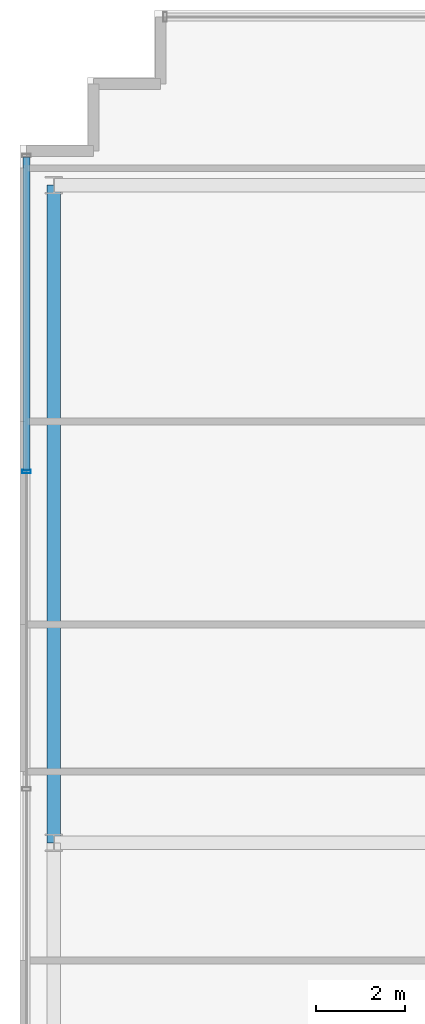
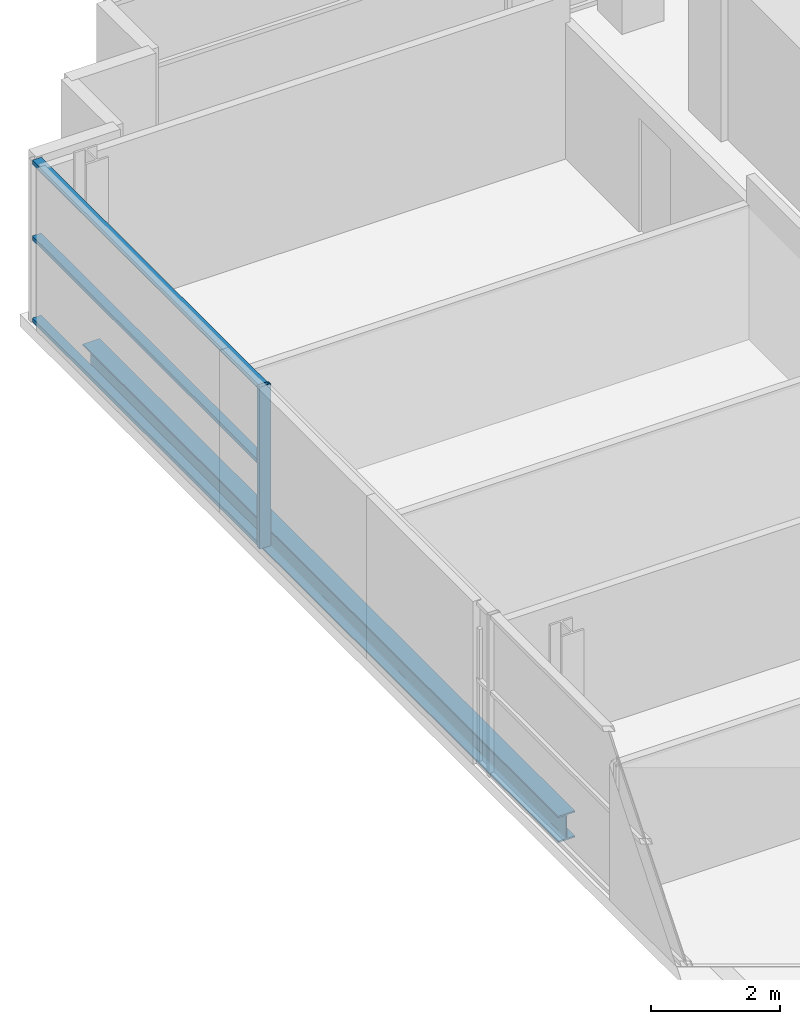
# One storey, part 10 of 25: 4 members, 1 beam, 1 element without a shape of its own.
"""IFC4 building model written with IfcOpenShell, lengths in metres."""

import ifcopenshell
import ifcopenshell.guid

model = None  # the IFC model being written
_history = None  # IfcOwnerHistory: only IFC2X3 demands one
_inside = {}  # id of a spatial element -> (the spatial element, [elements in it])
_under = {}  # id of a project, library or spatial element -> (it, [spatial elements below it])
_declared = {}  # id of a project -> (the project, [libraries it declares])
_typed = {}  # id of a type object -> (the type object, [elements of that type])
_made_of = {}  # id of a material, layer set ... -> (it, [elements and type objects made of it])


def new_model(schema):
    """Start an empty IFC model of exactly this schema.

    Asked for "IFC4X3", IfcOpenShell would pick the latest addendum, in which some entities
    have other attributes; the version numbers below select the first issue.
    IFC2X3 requires an IfcOwnerHistory on every rooted entity: one is made here for all.
    """
    global model, _history
    if schema == "IFC4X3":
        model = ifcopenshell.file(schema_version=(4, 3, 0, 0))
    else:
        model = ifcopenshell.file(schema=schema)
    _inside.clear()
    _under.clear()
    _declared.clear()
    _typed.clear()
    _made_of.clear()
    _history = None
    if model.schema == "IFC2X3":
        org = make("IfcOrganization", Name="unknown")
        user = make(
            "IfcPersonAndOrganization",
            ThePerson=make("IfcPerson", FamilyName="unknown"),
            TheOrganization=org,
        )
        app = make(
            "IfcApplication",
            ApplicationDeveloper=org,
            Version="unknown",
            ApplicationFullName="unknown",
            ApplicationIdentifier="unknown",
        )
        _history = make(
            "IfcOwnerHistory",
            OwningUser=user,
            OwningApplication=app,
            ChangeAction="ADDED",
            CreationDate=0,
        )
    return model


def make(cls, **values):
    """One entity of the class cls with the attributes given. An attribute that is None is left unset."""
    return model.create_entity(
        cls, **{name: value for name, value in values.items() if value is not None}
    )


def rooted(cls, **values):
    """An entity with a GlobalId (a new one), such as an element, a storey or a relation."""
    return make(cls, GlobalId=ifcopenshell.guid.new(), OwnerHistory=_history, **values)


def si_unit(unit_type, name, prefix=None):
    """IfcSIUnit, for example si_unit("LENGTHUNIT", "METRE", prefix="MILLI")."""
    return make("IfcSIUnit", UnitType=unit_type, Prefix=prefix, Name=name)


def assignment(units):
    """IfcUnitAssignment: the units of a project."""
    return None if units is None else make("IfcUnitAssignment", Units=units)


def point(xyz):
    """IfcCartesianPoint."""
    return None if xyz is None else make("IfcCartesianPoint", Coordinates=xyz)


def direction(xyz):
    """IfcDirection."""
    return None if xyz is None else make("IfcDirection", DirectionRatios=xyz)


def frame(location, z_axis=None, x_axis=None):
    """IfcAxis2Placement3D, a coordinate frame: its origin and axes. An axis left out is left unset."""
    return make(
        "IfcAxis2Placement3D",
        Location=point(location),
        Axis=direction(z_axis),
        RefDirection=direction(x_axis),
    )


def frame_2d(location, x_axis=None):
    """IfcAxis2Placement2D, a coordinate frame in the plane: its origin and x axis."""
    return make(
        "IfcAxis2Placement2D", Location=point(location), RefDirection=direction(x_axis)
    )


def origin():
    """The frame at (0, 0, 0) with its axes left unset."""
    return frame((0.0, 0.0, 0.0))


def origin_2d():
    """The frame at (0, 0) in the plane with its x axis left unset."""
    return frame_2d((0.0, 0.0))


def place(relative_to, where):
    """IfcLocalPlacement: puts the frame where relative to a parent placement (None: the world)."""
    return make(
        "IfcLocalPlacement", PlacementRelTo=relative_to, RelativePlacement=where
    )


def context(
    kind, dimensions, precision=None, world=None, true_north=None, identifier=None
):
    """IfcGeometricRepresentationContext, for example the 3D "Model" context."""
    return make(
        "IfcGeometricRepresentationContext",
        ContextIdentifier=identifier,
        ContextType=kind,
        CoordinateSpaceDimension=dimensions,
        Precision=precision,
        WorldCoordinateSystem=world,
        TrueNorth=true_north,
    )


def subcontext(parent, identifier, kind, view, scale=None):
    """IfcGeometricRepresentationSubContext, for example "Body" below "Model"."""
    return make(
        "IfcGeometricRepresentationSubContext",
        ContextIdentifier=identifier,
        ContextType=kind,
        ParentContext=parent,
        TargetScale=scale,
        TargetView=view,
    )


def project(units=None, contexts=None):
    """IfcProject with its units and contexts."""
    return rooted(
        "IfcProject",
        Name="project",
        RepresentationContexts=contexts,
        UnitsInContext=assignment(units),
    )


def spatial(cls, under=None, at=None, **own):
    """A site, building, storey or space (cls), placed at a placement, below another one or the project."""
    s = rooted(cls, ObjectPlacement=at, **own)
    if under is not None:
        _under.setdefault(under.id(), (under, []))[1].append(s)
    return s


def profile(cls, at=None, kind="AREA", **sizes):
    """A parametric profile (cls). Its sizes go by their IFC names, for example OverallWidth=200.0."""
    return make(cls, ProfileType=kind, Position=at, **sizes)


def hollow_rectangle(**sizes):
    """IfcRectangleHollowProfileDef."""
    return profile("IfcRectangleHollowProfileDef", **sizes)


def i_section(**sizes):
    """IfcIShapeProfileDef."""
    return profile("IfcIShapeProfileDef", **sizes)


def extrude(swept, where, along, depth):
    """IfcExtrudedAreaSolid: the profile swept, set in the frame where, extruded along a direction by depth."""
    return make(
        "IfcExtrudedAreaSolid",
        SweptArea=swept,
        Position=where,
        ExtrudedDirection=direction(along),
        Depth=depth,
    )


def shape(context_of_items, identifier, shape_type, items):
    """IfcShapeRepresentation: the items that make up one representation, for example the "Body"."""
    return make(
        "IfcShapeRepresentation",
        ContextOfItems=context_of_items,
        RepresentationIdentifier=identifier,
        RepresentationType=shape_type,
        Items=items,
    )


def source(mapping_origin, context_of_items, identifier, shape_type, items):
    """IfcRepresentationMap: a shape defined once, which mapped items show again and again."""
    return make(
        "IfcRepresentationMap",
        MappingOrigin=mapping_origin,
        MappedRepresentation=shape(context_of_items, identifier, shape_type, items),
    )


def transform(
    local_origin,
    x_axis=None,
    y_axis=None,
    z_axis=None,
    scale=None,
    scale2=None,
    scale3=None,
    uniform=True,
):
    """IfcCartesianTransformationOperator3D, or its non-uniform kind. x_axis, y_axis, z_axis: its Axis1, 2, 3."""
    if uniform:
        return make(
            "IfcCartesianTransformationOperator3D",
            Axis1=direction(x_axis),
            Axis2=direction(y_axis),
            LocalOrigin=point(local_origin),
            Scale=scale,
            Axis3=direction(z_axis),
        )
    return make(
        "IfcCartesianTransformationOperator3DnonUniform",
        Axis1=direction(x_axis),
        Axis2=direction(y_axis),
        LocalOrigin=point(local_origin),
        Scale=scale,
        Axis3=direction(z_axis),
        Scale2=scale2,
        Scale3=scale3,
    )


def mapped(mapping_source, mapping_target):
    """IfcMappedItem: shows the shape of a source again, moved by a transform."""
    return make(
        "IfcMappedItem", MappingSource=mapping_source, MappingTarget=mapping_target
    )


def material(Name=None, Category=None):
    """IfcMaterial."""
    return make("IfcMaterial", Name=Name, Category=Category)


def layer(
    of_material, thickness, ventilated=None, Name=None, Category=None, Priority=None
):
    """IfcMaterialLayer: one layer of a wall or slab, of a material (None: an air gap)."""
    return make(
        "IfcMaterialLayer",
        Material=of_material,
        LayerThickness=thickness,
        IsVentilated=ventilated,
        Name=Name,
        Category=Category,
        Priority=Priority,
    )


def layer_set(layers, Name=None):
    """IfcMaterialLayerSet."""
    return make("IfcMaterialLayerSet", MaterialLayers=layers, LayerSetName=Name)


def material_profile(
    of_material, cross_section, Name=None, Category=None, Priority=None
):
    """IfcMaterialProfile: a cross section and its material."""
    return make(
        "IfcMaterialProfile",
        Name=Name,
        Material=of_material,
        Profile=cross_section,
        Priority=Priority,
        Category=Category,
    )


def profile_set(profiles, Name=None, composite=None):
    """IfcMaterialProfileSet."""
    return make(
        "IfcMaterialProfileSet",
        Name=Name,
        MaterialProfiles=profiles,
        CompositeProfile=composite,
    )


def made_of(thing, what):
    """Note that an element or type object is made of a material, layer set ...; save() writes the relation."""
    if what is not None:
        _made_of.setdefault(what.id(), (what, []))[1].append(thing)
    return thing


def type_object(cls, material=None, **own):
    """A type object (cls), such as IfcWallType, which elements share."""
    return made_of(rooted(cls, **own), material)


def element(
    cls,
    number,
    at=None,
    inside=None,
    cuts=None,
    type_object=None,
    material=None,
    context=None,
    identifier="Body",
    shape_type=None,
    held_by="IfcProductDefinitionShape",
    body=None,
    shapes=None,
    **own,
):
    """One element of the class cls, such as IfcWall. Its Tag is "e" and its number.

    at: its placement. inside: the storey or other place that contains it. cuts: it is an
    opening in that element (IfcRelVoidsElement). A single representation is given by context,
    identifier, shape_type and body (its items); several are given by shapes. held_by: the class
    of the entity that holds the representations. save() writes the other relations.
    """
    e = rooted(cls, Tag="e%d" % number, ObjectPlacement=at, **own)
    if body is not None:
        shapes = [shape(context, identifier, shape_type, body)]
    if shapes is not None:
        e.Representation = make(held_by, Representations=shapes)
    if inside is not None:
        _inside.setdefault(inside.id(), (inside, []))[1].append(e)
    if cuts is not None:
        rooted(
            "IfcRelVoidsElement", RelatingBuildingElement=cuts, RelatedOpeningElement=e
        )
    if type_object is not None:
        _typed.setdefault(type_object.id(), (type_object, []))[1].append(e)
    return made_of(e, material)


def aggregate(whole, parts):
    """IfcRelAggregates: a whole, such as a stair, and the parts it consists of."""
    return rooted("IfcRelAggregates", RelatingObject=whole, RelatedObjects=parts)


def save(model, path):
    """Write the relations noted so far, then the file.

    IfcRelAggregates (storeys below a building ...), IfcRelContainedInSpatialStructure (elements
    in a storey), IfcRelDefinesByType, IfcRelAssociatesMaterial and IfcRelDeclares: one each for
    every whole, place, type object, material and project.
    """
    for whole, parts in _under.values():
        aggregate(whole, parts)
    for where, things in _inside.values():
        rooted(
            "IfcRelContainedInSpatialStructure",
            RelatedElements=things,
            RelatingStructure=where,
        )
    for kind, things in _typed.values():
        rooted("IfcRelDefinesByType", RelatedObjects=things, RelatingType=kind)
    for what, things in _made_of.values():
        rooted("IfcRelAssociatesMaterial", RelatedObjects=things, RelatingMaterial=what)
    for by, libraries in _declared.values():
        rooted("IfcRelDeclares", RelatingContext=by, RelatedDefinitions=libraries)
    model.write(path)


model = new_model("IFC4")

# Units and contexts
model_context = context("Model", 3, precision=1e-05, world=origin(), true_north=direction((0.0, 1.0)))
body_context = subcontext(model_context, "Body", "Model", "MODEL_VIEW")
ifc_project = project(units=[si_unit("LENGTHUNIT", "METRE"), si_unit("AREAUNIT", "SQUARE_METRE"), si_unit("VOLUMEUNIT", "CUBIC_METRE"), si_unit("PLANEANGLEUNIT", "RADIAN"), si_unit("MASSUNIT", "GRAM", prefix="KILO")], contexts=[model_context])

# Site, building, storey
site_placement = place(None, origin())
site = spatial("IfcSite", under=ifc_project, at=site_placement, CompositionType="ELEMENT")
building_placement = place(site_placement, origin())
building = spatial("IfcBuilding", under=site, at=building_placement, Name="Zarnakvel Exchange Tower", CompositionType="ELEMENT")
storey_placement = place(building_placement, frame((0.0, 0.0, 156.10009765625)))
storey = spatial("IfcBuildingStorey", under=building, at=storey_placement, Name="L43", CompositionType="ELEMENT", Elevation=156.10009765625)

# Beam
ifc_material_1 = material(Name="Steel S355", Category="steel")
ifc_material_profile_1 = material_profile(ifc_material_1, i_section(OverallWidth=0.300048828125, OverallDepth=0.5, WebThickness=0.014404296875, FlangeThickness=0.028076171875, FilletRadius=0.027099609375, at=origin_2d()))
ifc_profile_set_1 = profile_set([ifc_material_profile_1], Name="Steel S355")
beam_type = type_object("IfcBeamType", Name="SP-02", PredefinedType="SPANDREL", material=ifc_profile_set_1)
beam_placement = place(storey_placement, frame((-25.85009765625, -1.199951171875, -0.47509765625), z_axis=(0.0, 1.0, 0.0), x_axis=(-1.0, 0.0, 0.0)))
element("IfcBeam", 1, at=beam_placement, inside=storey, type_object=beam_type, Name="L43 Tower N-S Frame Beam", PredefinedType="SPANDREL", context=body_context, shape_type="SweptSolid", body=[
    extrude(i_section(OverallWidth=0.300048828125, OverallDepth=0.5, WebThickness=0.014404296875, FlangeThickness=0.028076171875, FilletRadius=0.027099609375, at=origin_2d()), origin(), (0.0, 0.0, 1.0), 14.699951171875),
])

# Curtain wall, members
ifc_material_2 = material(Name="Architectural Bronze Anodised Aluminium", Category="aluminium")
ifc_layer = layer(ifc_material_2, 0.199951171875)
ifc_layer_set = layer_set([ifc_layer], Name="Architectural Bronze Anodised Aluminium")
curtain_wall_type = type_object("IfcCurtainWallType", Name="CW-04", PredefinedType="NOTDEFINED", material=ifc_layer_set)
curtain_wall_placement = place(storey_placement, origin())
curtain_wall = element("IfcCurtainWall", 2, at=curtain_wall_placement, inside=storey, type_object=curtain_wall_type, Name="L43 Curtain Wall CW-L43-W1 (CW-04)", PredefinedType="NOTDEFINED")
ifc_material_profile_2 = material_profile(ifc_material_2, hollow_rectangle(XDim=0.199951171875, YDim=0.074951171875, WallThickness=0.0048828125, at=origin_2d()))
ifc_profile_set_2 = profile_set([ifc_material_profile_2], Name="Architectural Bronze Anodised Aluminium")
member_type_1 = type_object("IfcMemberType", Name="CWM-04", PredefinedType="MULLION", material=ifc_profile_set_2)
shared_shape_1 = source(origin(), body_context, "Body", "SweptSolid", [
    extrude(hollow_rectangle(XDim=0.199951171875, YDim=0.074951171875, WallThickness=0.0048828125, at=origin_2d()), origin(), (0.0, 0.0, 1.0), 3.054931640625),
])
member_1_placement = place(storey_placement, frame((-26.4599609375, 7.10009765625, 0.0), z_axis=(0.0, 0.0, 1.0), x_axis=(-1.0, 0.0, 0.0)))
member_1 = element("IfcMember", 3, at=member_1_placement, type_object=member_type_1, Name="CW-04 mullion 4", PredefinedType="MULLION", context=body_context, shape_type="MappedRepresentation", body=[
    mapped(shared_shape_1, transform((0.0, 0.0, 0.0), x_axis=(1.0, 0.0, 0.0), y_axis=(0.0, 1.0, 0.0), z_axis=(0.0, 0.0, 1.0), scale=1.0)),
])
ifc_material_profile_3 = material_profile(ifc_material_2, hollow_rectangle(XDim=0.159912109375, YDim=0.074951171875, WallThickness=0.00390625, at=origin_2d()))
ifc_profile_set_3 = profile_set([ifc_material_profile_3], Name="Architectural Bronze Anodised Aluminium")
member_type_2 = type_object("IfcMemberType", Name="CWT-04", PredefinedType="USERDEFINED", material=ifc_profile_set_3)
shared_shape_2 = source(origin(), body_context, "Body", "SweptSolid", [
    extrude(hollow_rectangle(XDim=0.159912109375, YDim=0.074951171875, WallThickness=0.00390625, at=origin_2d()), origin(), (0.0, 0.0, 1.0), 6.987548828125),
])
member_2_placement = place(storey_placement, frame((-26.4599609375, 7.137451171875, 0.037353515625), z_axis=(0.0, 1.0, 0.0), x_axis=(-1.0, 0.0, 0.0)))
member_2 = element("IfcMember", 4, at=member_2_placement, type_object=member_type_2, Name="CW-04 transom 4.1", ObjectType="TRANSOM", PredefinedType="USERDEFINED", context=body_context, shape_type="MappedRepresentation", body=[
    mapped(shared_shape_2, transform((0.0, 0.0, 0.0), x_axis=(1.0, 0.0, 0.0), y_axis=(0.0, 1.0, 0.0), z_axis=(0.0, 0.0, 1.0), scale=1.0)),
])
member_3_placement = place(storey_placement, frame((-26.4599609375, 7.137451171875, 1.588623046875), z_axis=(0.0, 1.0, 0.0), x_axis=(-1.0, 0.0, 0.0)))
member_3 = element("IfcMember", 5, at=member_3_placement, type_object=member_type_2, Name="CW-04 transom 4.2", ObjectType="TRANSOM", PredefinedType="USERDEFINED", context=body_context, shape_type="MappedRepresentation", body=[
    mapped(shared_shape_2, transform((0.0, 0.0, 0.0), x_axis=(1.0, 0.0, 0.0), y_axis=(0.0, 1.0, 0.0), z_axis=(0.0, 0.0, 1.0), scale=1.0)),
])
member_4_placement = place(storey_placement, frame((-26.4599609375, 7.137451171875, 3.017333984375), z_axis=(0.0, 1.0, 0.0), x_axis=(-1.0, 0.0, 0.0)))
member_4 = element("IfcMember", 6, at=member_4_placement, type_object=member_type_2, Name="CW-04 transom 4.3", ObjectType="TRANSOM", PredefinedType="USERDEFINED", context=body_context, shape_type="MappedRepresentation", body=[
    mapped(shared_shape_2, transform((0.0, 0.0, 0.0), x_axis=(1.0, 0.0, 0.0), y_axis=(0.0, 1.0, 0.0), z_axis=(0.0, 0.0, 1.0), scale=1.0)),
])
aggregate(curtain_wall, [member_1, member_2, member_3, member_4])

save(model, "model.ifc")
